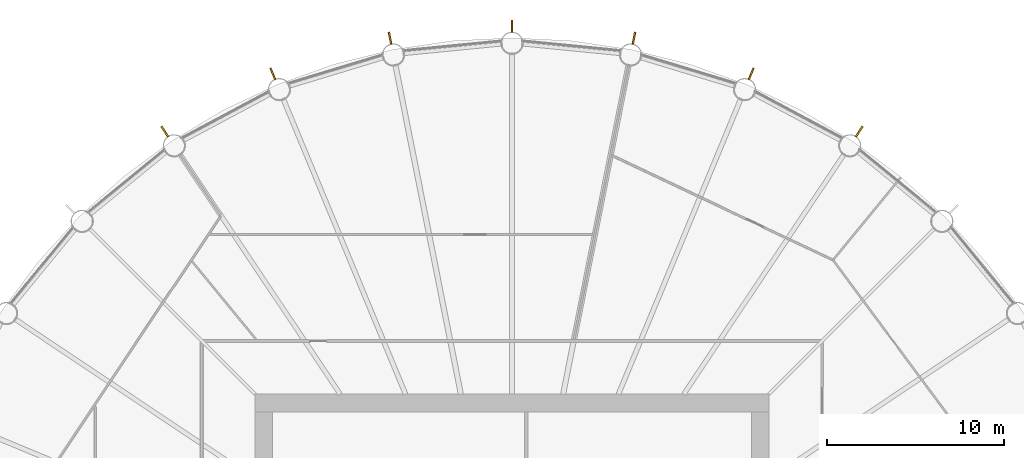
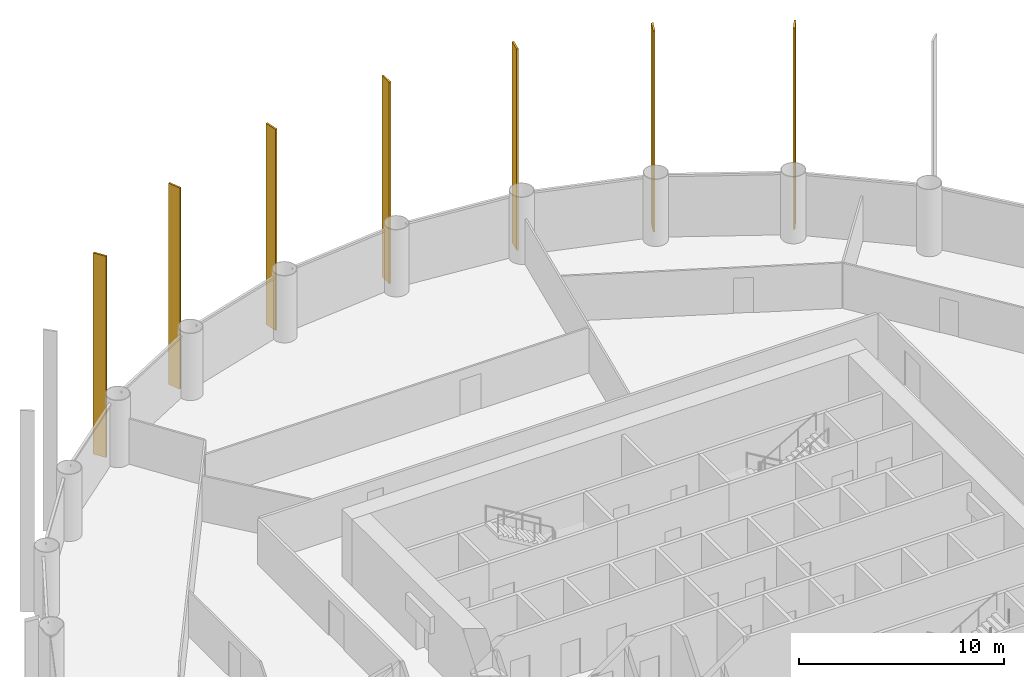
# One storey, part 10 of 10: 7 shading devices.
"""IFC4 building model written with IfcOpenShell, lengths in metres."""

from ifc_helpers import new_model, si_unit, direction, frame, origin, origin_2d, place, context, subcontext, project, spatial, rectangle, extrude, material, material_profile, profile_set, type_object, element, save


model = new_model("IFC4")

# Units and contexts
model_context = context("Model", 3, precision=1e-05, world=origin(), true_north=direction((0.0, 1.0)))
body_context = subcontext(model_context, "Body", "Model", "MODEL_VIEW")
ifc_project = project(units=[si_unit("LENGTHUNIT", "METRE"), si_unit("AREAUNIT", "SQUARE_METRE"), si_unit("VOLUMEUNIT", "CUBIC_METRE"), si_unit("PLANEANGLEUNIT", "RADIAN"), si_unit("MASSUNIT", "GRAM", prefix="KILO")], contexts=[model_context])

# Site, building, storey
site_placement = place(None, origin())
site = spatial("IfcSite", under=ifc_project, at=site_placement, CompositionType="ELEMENT")
building_placement = place(site_placement, origin())
building = spatial("IfcBuilding", under=site, at=building_placement, Name="Corvane Civic Tower", CompositionType="ELEMENT")
storey_placement = place(building_placement, frame((0.0, 0.0, 106.5)))
storey = spatial("IfcBuildingStorey", under=building, at=storey_placement, Name="L24", CompositionType="ELEMENT", Elevation=106.5)

# Shading devices
ifc_material = material(Name="Anodised aluminium bronze", Category="aluminium")
ifc_material_profile = material_profile(ifc_material, rectangle(XDim=0.10009765625, YDim=0.699951171875, at=origin_2d()), Name="TOWER FIN STACK 100x700 BRONZE")
ifc_profile_set = profile_set([ifc_material_profile], Name="Anodised aluminium bronze")
shading_device_type = type_object("IfcShadingDeviceType", Name="TOWER FIN STACK 100x700 BRONZE", PredefinedType="USERDEFINED", material=ifc_profile_set)
for number, where, z_axis, x_axis, name in (
    (1, (0.0, 35.2548828125, 0.0), (0.0, 0.0, 1.0), (1.0, 0.0, 0.0), "Fin 01 L24 to L26"),
    (2, (6.8779296875, 34.57763671875, 0.0), (0.0, 0.0, 1.0), (0.980785280403, -0.195090322016, 0.0), "Fin 02 L24 to L26"),
    (3, (13.491455078125, 32.5712890625, 0.0), (0.0, 0.0, 1.0), (0.923879532511, -0.382683432365, 0.0), "Fin 03 L24 to L26"),
    (4, (19.586669921875, 29.3134765625, 0.0), (0.0, 0.0, 1.0), (0.831469612303, -0.55557023302, 0.0), "Fin 04 L24 to L26"),
    (5, (-19.586669921875, 29.3134765625, 0.0), (0.0, 0.0, 1.0), (0.831469612303, 0.55557023302, 0.0), "Fin 30 L24 to L26"),
    (6, (-13.491455078125, 32.5712890625, 0.0), (0.0, 0.0, 1.0), (0.923879532511, 0.382683432365, 0.0), "Fin 31 L24 to L26"),
    (7, (-6.8779296875, 34.57763671875, 0.0), (0.0, 0.0, 1.0), (0.980785280403, 0.195090322016, 0.0), "Fin 32 L24 to L26"),
):
    element("IfcShadingDevice", number, at=place(storey_placement, frame(where, z_axis=z_axis, x_axis=x_axis)), inside=storey, type_object=shading_device_type, Name=name, ObjectType="FIN", PredefinedType="USERDEFINED", context=body_context, shape_type="SweptSolid", body=[
        extrude(rectangle(XDim=0.10009765625, YDim=0.699951171875, at=origin_2d()), origin(), (0.0, 0.0, 1.0), 12.0),
    ])

save(model, "model.ifc")
